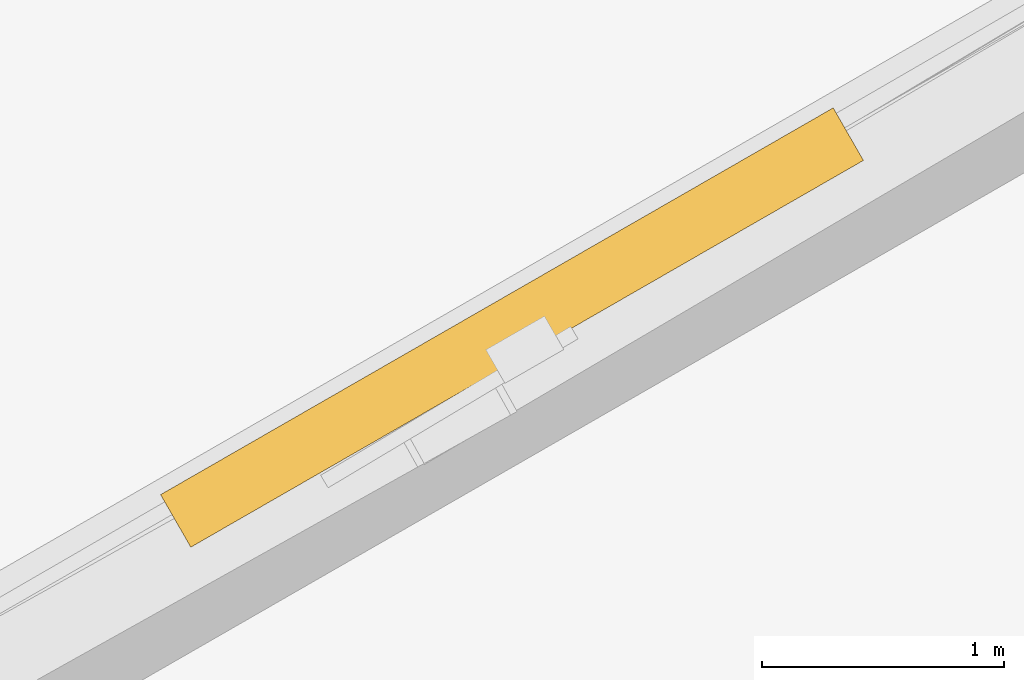
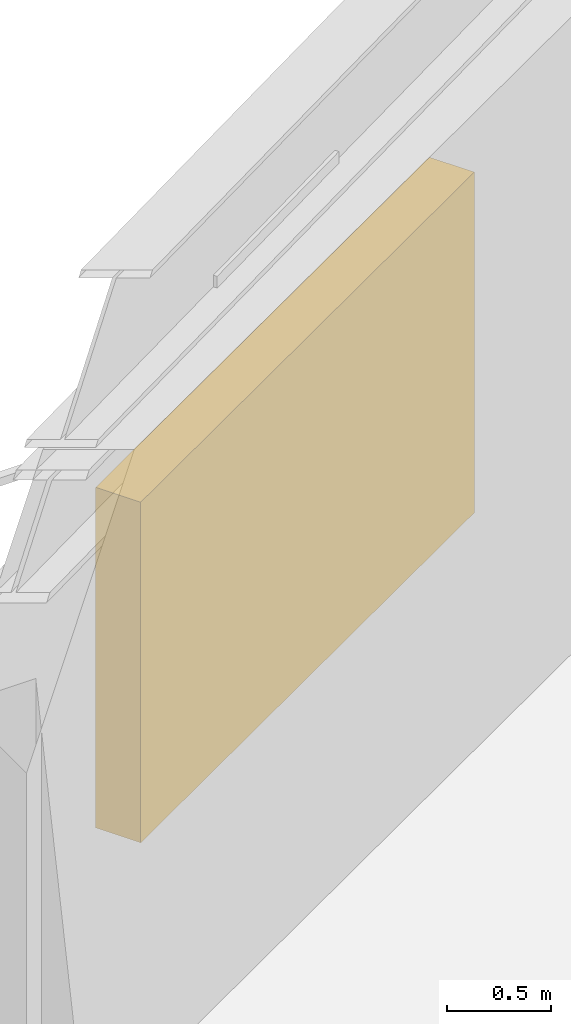
# One storey, part 19 of 20: 1 shading device.
"""IFC4 building model written with IfcOpenShell, lengths in metres."""

from ifc_helpers import new_model, si_unit, direction, frame, origin, origin_2d, place, context, subcontext, project, spatial, rectangle, extrude, source, transform, mapped, material, type_object, element, save


model = new_model("IFC4")

# Units and contexts
model_context = context("Model", 3, precision=1e-05, world=origin(), true_north=direction((0.0, 1.0)))
body_context = subcontext(model_context, "Body", "Model", "MODEL_VIEW")
ifc_project = project(units=[si_unit("LENGTHUNIT", "METRE"), si_unit("AREAUNIT", "SQUARE_METRE"), si_unit("VOLUMEUNIT", "CUBIC_METRE"), si_unit("PLANEANGLEUNIT", "RADIAN"), si_unit("MASSUNIT", "GRAM", prefix="KILO")], contexts=[model_context])

# Site, building, storey
site_placement = place(None, origin())
site = spatial("IfcSite", under=ifc_project, at=site_placement, CompositionType="ELEMENT")
building_placement = place(site_placement, origin())
building = spatial("IfcBuilding", under=site, at=building_placement, Name="Olszyna Solenne Hotel", CompositionType="ELEMENT")
storey_placement = place(building_placement, frame((0.0, 0.0, 24.60009765625)))
storey = spatial("IfcBuildingStorey", under=building, at=storey_placement, Name="L05", CompositionType="ELEMENT", Elevation=24.60009765625)

# Shading device
ifc_material = material(Name="Terracotta cladding", Category="masonry")
shading_device_type = type_object("IfcShadingDeviceType", Name="SH-LV1", PredefinedType="JALOUSIE", material=ifc_material)
shared_shape = source(origin(), body_context, "Body", "SweptSolid", [
    extrude(rectangle(XDim=3.199951171875, YDim=0.25, at=origin_2d()), origin(), (0.0, 0.0, 1.0), 2.0),
])
shading_device_placement = place(storey_placement, frame((23.851806640625, 47.07958984375, 0.870849609375), z_axis=(0.0, 0.0, 1.0), x_axis=(0.866896748936, 0.498487739754, 0.0)))
element("IfcShadingDevice", 1, at=shading_device_placement, inside=storey, type_object=shading_device_type, Name="Terracotta acoustic plant louvre bank LV-L05-05", PredefinedType="JALOUSIE", context=body_context, shape_type="MappedRepresentation", body=[
    mapped(shared_shape, transform((0.0, 0.0, 0.0), x_axis=(1.0, 0.0, 0.0), y_axis=(0.0, 1.0, 0.0), z_axis=(0.0, 0.0, 1.0), scale=1.0)),
])

save(model, "model.ifc")
